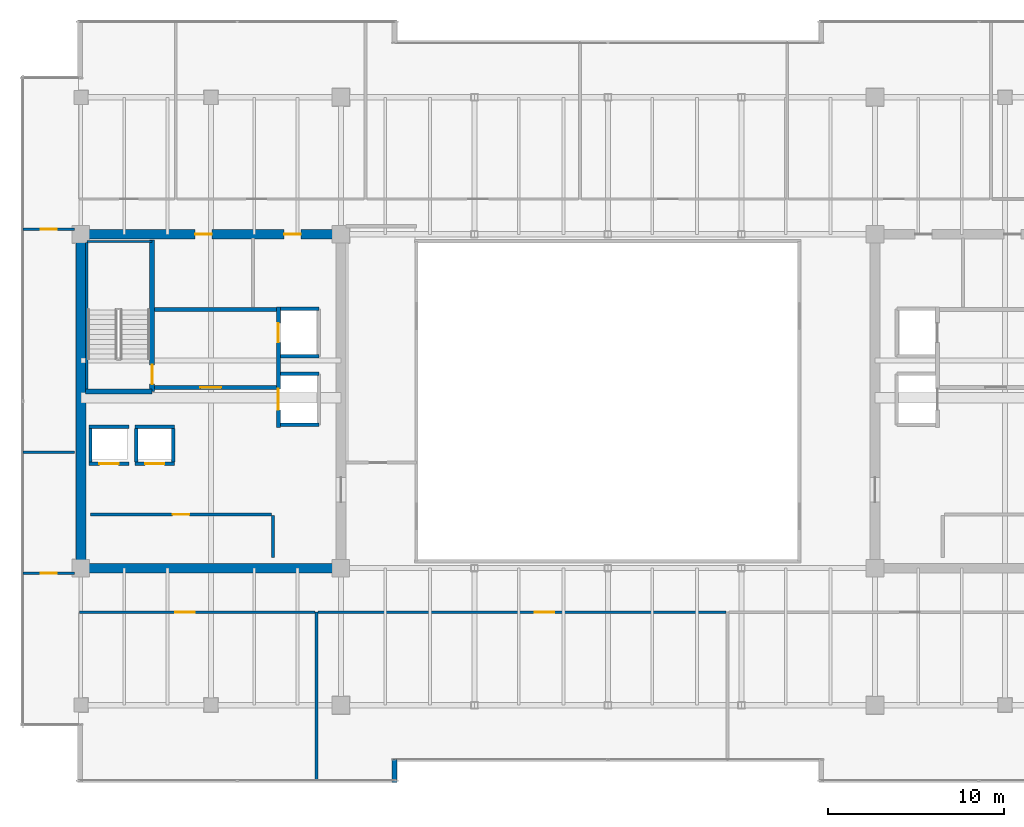
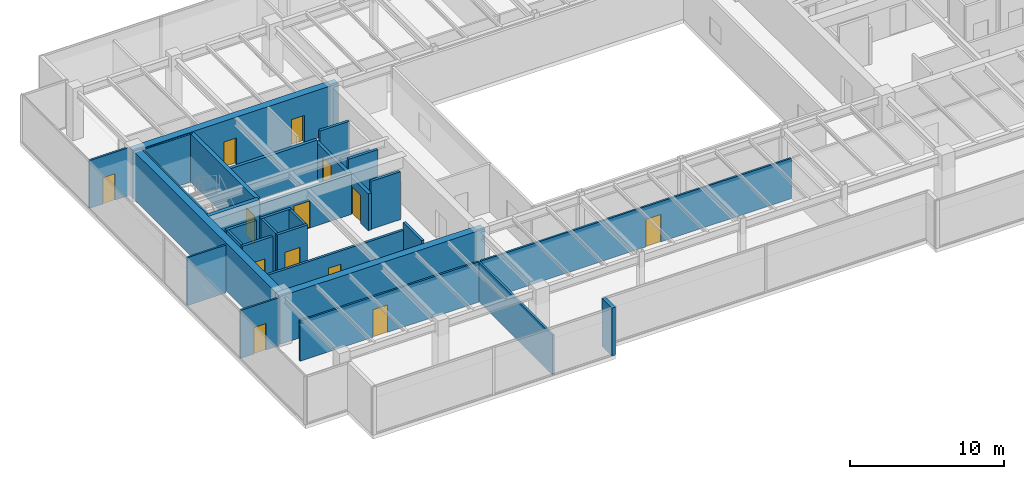
# One storey, part 28 of 35: 30 walls, 13 doors, 13 openings.
"""IFC4 building model written with IfcOpenShell, lengths in metres."""

from ifc_helpers import new_model, si_unit, direction, frame, frame_2d, origin, place, context, subcontext, project, spatial, rectangle, extrude, source, transform, mapped, material, layer, layer_set, type_object, type_shapes, element, fill, save


model = new_model("IFC4")

# Units and contexts
model_context = context("Model", 3, precision=1e-05, world=origin(), true_north=direction((0.0, 1.0)))
body_context = subcontext(model_context, "Body", "Model", "MODEL_VIEW")
ifc_project = project(units=[si_unit("LENGTHUNIT", "METRE"), si_unit("AREAUNIT", "SQUARE_METRE"), si_unit("VOLUMEUNIT", "CUBIC_METRE"), si_unit("PLANEANGLEUNIT", "RADIAN"), si_unit("MASSUNIT", "GRAM", prefix="KILO")], contexts=[model_context])

# Site, building, storey
site_placement = place(None, origin())
site = spatial("IfcSite", under=ifc_project, at=site_placement, CompositionType="ELEMENT")
building_placement = place(site_placement, origin())
building = spatial("IfcBuilding", under=site, at=building_placement, Name="Haelvirn Gate Laboratories", CompositionType="ELEMENT")
storey_placement = place(building_placement, frame((0.0, 0.0, 234.199951171875)))
storey = spatial("IfcBuildingStorey", under=building, at=storey_placement, Name="L56", CompositionType="ELEMENT", Elevation=234.199951171875)

# Walls
ifc_material_1 = material(Name="Thermally-broken bronze aluminium rainscreen & mineral wool", Category="aluminium")
ifc_layer_1 = layer(ifc_material_1, 0.280029296875, Name="EW-TERR-280")
ifc_layer_set_1 = layer_set([ifc_layer_1], Name="Thermally-broken bronze aluminium rainscreen & mineral wool")
wall_type_1 = type_object("IfcWallType", Name="EW-TERR-280", PredefinedType="STANDARD", material=ifc_layer_set_1)
wall_1_placement = place(storey_placement, frame((25.260009765625, 2.60009765625, 0.0), z_axis=(0.0, 0.0, 1.0), x_axis=(0.0, 1.0, 0.0)))
element("IfcWall", 1, at=wall_1_placement, inside=storey, type_object=wall_type_1, Name="L56 Atrium Recess Bronze Return Wall 01", PredefinedType="STANDARD", context=body_context, shape_type="SweptSolid", body=[
    extrude(rectangle(XDim=1.29296875, YDim=0.280029296875, at=frame_2d((0.646484375, 0.0))), origin(), (0.0, 0.0, 1.0), 3.800048828125),
])
ifc_material_2 = material(Name="Double-layer acoustic gypsum laboratory partition", Category="gypsum")
ifc_layer_2 = layer(ifc_material_2, 0.159912109375, Name="IW-ACOUST-160")
ifc_layer_set_2 = layer_set([ifc_layer_2], Name="Double-layer acoustic gypsum laboratory partition")
wall_type_2 = type_object("IfcWallType", Name="IW-ACOUST-160", PredefinedType="PARTITIONING", material=ifc_layer_set_2)
wall_2_placement = place(storey_placement, frame((20.800048828125, 2.7099609375, 0.0), z_axis=(0.0, 0.0, 1.0), x_axis=(0.0, 1.0, 0.0)))
element("IfcWall", 2, at=wall_2_placement, inside=storey, type_object=wall_type_2, Name="L56 Interior Wall IW-L56-SDIV-01", PredefinedType="PARTITIONING", context=body_context, shape_type="SweptSolid", body=[
    extrude(rectangle(XDim=9.580078125, YDim=0.159912109375, at=frame_2d((4.7900390625, 0.0))), origin(), (0.0, 0.0, 1.0), 3.135009765625),
])

# Wall, opening, door
ifc_material_3 = material(Name="Acoustic mineral-wool gypsum board partition", Category="gypsum")
ifc_layer_3 = layer(ifc_material_3, 0.139892578125, Name="IW-PART-140")
ifc_layer_set_3 = layer_set([ifc_layer_3], Name="Acoustic mineral-wool gypsum board partition")
wall_type_3 = type_object("IfcWallType", Name="IW-PART-140", PredefinedType="PARTITIONING", material=ifc_layer_set_3)
wall_3_placement = place(storey_placement, frame((7.31005859375, 12.2900390625, 0.0), z_axis=(0.0, 0.0, 1.0), x_axis=(1.0, 0.0, 0.0)))
wall_3 = element("IfcWall", 3, at=wall_3_placement, inside=storey, type_object=wall_type_3, Name="L56 Interior Wall IW-L56-SCORR-01", PredefinedType="PARTITIONING", context=body_context, shape_type="SweptSolid", body=[
    extrude(rectangle(XDim=13.409912109375, YDim=0.139892578125, at=frame_2d((6.705078125, 0.0))), origin(), (0.0, 0.0, 1.0), 3.197021484375),
])
opening_1_placement = place(wall_3_placement, frame((5.45849609375, 0.0, 0.0)))
opening_1 = element("IfcOpeningElement", 4, at=opening_1_placement, cuts=wall_3, Name="Opening D1", PredefinedType="OPENING", context=body_context, shape_type="SweptSolid", body=[
    extrude(rectangle(XDim=1.10009765625, YDim=2.179931640625, at=frame_2d((0.550048828125, 1.08984375))), frame((0.0, 0.080078125, 0.0), z_axis=(0.0, -1.0, 0.0), x_axis=(1.0, 0.0, 0.0)), (0.0, 0.0, 1.0), 0.159912109375),
])
ifc_material_4 = material(Name="Vision-panel acoustic solid-core timber lab door", Category="wood")
door_type_1 = type_object("IfcDoorType", Name="DR-LAB-1100", OperationType="NOTDEFINED", PredefinedType="DOOR", material=ifc_material_4)
shared_shape_1 = source(origin(), body_context, "Body", "SweptSolid", [
    extrude(rectangle(XDim=1.10009765625, YDim=2.179931640625, at=frame_2d((0.550048828125, 1.08984375))), frame((0.0, 0.02490234375, 0.0), z_axis=(0.0, -1.0, 0.0), x_axis=(1.0, 0.0, 0.0)), (0.0, 0.0, 1.0), 0.050048828125),
])
type_shapes(door_type_1, [shared_shape_1])
door_1_placement = place(opening_1_placement, origin())
door_1 = element("IfcDoor", 5, at=door_1_placement, inside=storey, type_object=door_type_1, Name="L56 Peer-Review Seminar Room Door S1", OperationType="SINGLE_SWING_LEFT", OverallHeight=2.179931640625, OverallWidth=1.10009765625, PredefinedType="DOOR", context=body_context, shape_type="MappedRepresentation", body=[
    mapped(shared_shape_1, transform((0.0, 0.0, 0.0), scale=1.0)),
])
fill(opening_1, door_1)

wall_4_placement = place(storey_placement, frame((20.8798828125, 12.2900390625, 0.0), z_axis=(0.0, 0.0, 1.0), x_axis=(1.0, 0.0, 0.0)))
wall_4 = element("IfcWall", 6, at=wall_4_placement, inside=storey, type_object=wall_type_3, Name="L56 Interior Wall IW-L56-SCORR-02", PredefinedType="PARTITIONING", context=body_context, shape_type="SweptSolid", body=[
    extrude(rectangle(XDim=23.240234375, YDim=0.139892578125, at=frame_2d((11.6201171875, 0.0))), origin(), (0.0, 0.0, 1.0), 3.197021484375),
])
opening_2_placement = place(wall_4_placement, frame((12.3564453125, 0.0, 0.0)))
opening_2 = element("IfcOpeningElement", 7, at=opening_2_placement, cuts=wall_4, Name="Opening D1", PredefinedType="OPENING", context=body_context, shape_type="SweptSolid", body=[
    extrude(rectangle(XDim=1.10009765625, YDim=2.179931640625, at=frame_2d((0.550048828125, 1.08984375))), frame((0.0, 0.080078125, 0.0), z_axis=(0.0, -1.0, 0.0), x_axis=(1.0, 0.0, 0.0)), (0.0, 0.0, 1.0), 0.159912109375),
])
door_2_placement = place(opening_2_placement, origin())
door_2 = element("IfcDoor", 8, at=door_2_placement, inside=storey, type_object=door_type_1, Name="L56 Colloquium Conference Room Door S2", OperationType="SINGLE_SWING_RIGHT", OverallHeight=2.179931640625, OverallWidth=1.10009765625, PredefinedType="DOOR", context=body_context, shape_type="MappedRepresentation", body=[
    mapped(shared_shape_1, transform((0.0, 0.0, 0.0), scale=1.0)),
])
fill(opening_2, door_2)

# Wall
wall_5_placement = place(storey_placement, frame((4.110107421875, 21.39990234375, 0.0), z_axis=(0.0, 0.0, 1.0), x_axis=(1.0, 0.0, 0.0)))
element("IfcWall", 9, at=wall_5_placement, inside=storey, type_object=wall_type_3, Name="L56 Interior Wall IW-L56-WZ3-MID", PredefinedType="PARTITIONING", context=body_context, shape_type="SweptSolid", body=[
    extrude(rectangle(XDim=2.909912109375, YDim=0.139892578125, at=frame_2d((1.455078125, 0.0))), origin(), (0.0, 0.0, 1.0), 3.800048828125),
])

# Wall, opening, door
wall_6_placement = place(storey_placement, frame((4.110107421875, 14.5048828125, 0.0), z_axis=(0.0, 0.0, 1.0), x_axis=(1.0, 0.0, 0.0)))
wall_6 = element("IfcWall", 10, at=wall_6_placement, inside=storey, type_object=wall_type_3, Name="L56 Interior Wall IW-L56-WZ3-ENT-S", PredefinedType="PARTITIONING", context=body_context, shape_type="SweptSolid", body=[
    extrude(rectangle(XDim=2.909912109375, YDim=0.139892578125, at=frame_2d((1.455078125, 0.0))), origin(), (0.0, 0.0, 1.0), 3.800048828125),
])
opening_3_placement = place(wall_6_placement, frame((1.0048828125, 0.0, 0.0)))
opening_3 = element("IfcOpeningElement", 11, at=opening_3_placement, cuts=wall_6, Name="Opening D4", PredefinedType="OPENING", context=body_context, shape_type="SweptSolid", body=[
    extrude(rectangle(XDim=0.89990234375, YDim=2.10009765625, at=frame_2d((0.449951171875, 1.050048828125))), frame((0.0, 0.080078125, 0.0), z_axis=(0.0, -1.0, 0.0), x_axis=(1.0, 0.0, 0.0)), (0.0, 0.0, 1.0), 0.159912109375),
])
ifc_material_5 = material(Name="Glazed aluminium-framed write-up door", Category="aluminium")
door_type_2 = type_object("IfcDoorType", Name="DR-OFF-900", OperationType="NOTDEFINED", PredefinedType="DOOR", material=ifc_material_5)
shared_shape_2 = source(origin(), body_context, "Body", "SweptSolid", [
    extrude(rectangle(XDim=0.89990234375, YDim=2.10009765625, at=frame_2d((0.449951171875, 1.050048828125))), frame((0.0, 0.02490234375, 0.0), z_axis=(0.0, -1.0, 0.0), x_axis=(1.0, 0.0, 0.0)), (0.0, 0.0, 1.0), 0.050048828125),
])
type_shapes(door_type_2, [shared_shape_2])
door_3_placement = place(opening_3_placement, origin())
door_3 = element("IfcDoor", 12, at=door_3_placement, inside=storey, type_object=door_type_2, Name="L56 Translational Data Office Door W-S", OperationType="SINGLE_SWING_LEFT", OverallHeight=2.10009765625, OverallWidth=0.89990234375, PredefinedType="DOOR", context=body_context, shape_type="MappedRepresentation", body=[
    mapped(shared_shape_2, transform((0.0, 0.0, 0.0), scale=1.0)),
])
fill(opening_3, door_3)

wall_7_placement = place(storey_placement, frame((4.110107421875, 34.094970703125, 0.0), z_axis=(0.0, 0.0, 1.0), x_axis=(1.0, 0.0, 0.0)))
wall_7 = element("IfcWall", 13, at=wall_7_placement, inside=storey, type_object=wall_type_3, Name="L56 Interior Wall IW-L56-WZ3-ENT-N", PredefinedType="PARTITIONING", context=body_context, shape_type="SweptSolid", body=[
    extrude(rectangle(XDim=2.909912109375, YDim=0.139892578125, at=frame_2d((1.455078125, 0.0))), origin(), (0.0, 0.0, 1.0), 3.800048828125),
])
opening_4_placement = place(wall_7_placement, frame((1.0048828125, 0.0, 0.0)))
opening_4 = element("IfcOpeningElement", 14, at=opening_4_placement, cuts=wall_7, Name="Opening D4", PredefinedType="OPENING", context=body_context, shape_type="SweptSolid", body=[
    extrude(rectangle(XDim=0.89990234375, YDim=2.10009765625, at=frame_2d((0.449951171875, 1.050048828125))), frame((0.0, 0.080078125, 0.0), z_axis=(0.0, -1.0, 0.0), x_axis=(1.0, 0.0, 0.0)), (0.0, 0.0, 1.0), 0.159912109375),
])
door_4_placement = place(opening_4_placement, origin())
door_4 = element("IfcDoor", 15, at=door_4_placement, inside=storey, type_object=door_type_2, Name="L56 Researcher Break Pantry Door W-N", OperationType="SINGLE_SWING_RIGHT", OverallHeight=2.10009765625, OverallWidth=0.89990234375, PredefinedType="DOOR", context=body_context, shape_type="MappedRepresentation", body=[
    mapped(shared_shape_2, transform((0.0, 0.0, 0.0), scale=1.0)),
])
fill(opening_4, door_4)

# Walls
ifc_material_6 = material(Name="Concrete C40/50", Category="concrete")
ifc_layer_4 = layer(ifc_material_6, 0.179931640625, Name="IW-SHAFT-180")
ifc_layer_set_4 = layer_set([ifc_layer_4], Name="Concrete C40/50")
wall_type_4 = type_object("IfcWallType", Name="IW-SHAFT-180", PredefinedType="SOLIDWALL", material=ifc_layer_set_4)
for number, where, z_axis, x_axis, name in (
    (16, (7.949951171875, 20.85009765625, 0.0), (0.0, 0.0, 1.0), (0.0, 1.0, 0.0), "L56 Interior Wall IW-L56-PL9-SD"),
    (17, (10.550048828125, 20.85009765625, 0.0), (0.0, 0.0, 1.0), (0.0, 1.0, 0.0), "L56 Interior Wall IW-L56-PL10-SD"),
    (18, (12.64990234375, 20.85009765625, 0.0), (0.0, 0.0, 1.0), (0.0, 1.0, 0.0), "L56 Interior Wall IW-L56-PL10-SDE"),
):
    element("IfcWall", number, at=place(storey_placement, frame(where, z_axis=z_axis, x_axis=x_axis)), inside=storey, type_object=wall_type_4, Name=name, PredefinedType="SOLIDWALL", context=body_context, shape_type="SweptSolid", body=[
        extrude(rectangle(XDim=1.89990234375, YDim=0.179931640625, at=frame_2d((0.949951171875, 0.0))), origin(), (0.0, 0.0, 1.0), 3.800048828125),
    ])

# Wall, opening, door
wall_8_placement = place(storey_placement, frame((7.949951171875, 17.85009765625, 0.0), z_axis=(0.0, 0.0, 1.0), x_axis=(1.0, 0.0, 0.0)))
wall_8 = element("IfcWall", 19, at=wall_8_placement, inside=storey, type_object=wall_type_4, Name="L56 Interior Wall IW-L56-W-FREED-HN-1", PredefinedType="SOLIDWALL", context=body_context, shape_type="SweptSolid", body=[
    extrude(rectangle(XDim=10.300048828125, YDim=0.179931640625, at=frame_2d((5.14990234375, 0.0))), origin(), (0.0, 0.0, 1.0), 3.197021484375),
])
opening_5_placement = place(wall_8_placement, frame((4.675048828125, 0.0, 0.0)))
opening_5 = element("IfcOpeningElement", 20, at=opening_5_placement, cuts=wall_8, Name="Opening FD4", PredefinedType="OPENING", context=body_context, shape_type="SweptSolid", body=[
    extrude(rectangle(XDim=0.949951171875, YDim=2.14990234375, at=frame_2d((0.47509765625, 1.074951171875))), frame((0.0, 0.10009765625, 0.0), z_axis=(0.0, -1.0, 0.0), x_axis=(1.0, 0.0, 0.0)), (0.0, 0.0, 1.0), 0.199951171875),
])
ifc_material_7 = material(Name="Fire-rated steel SM355 core service door", Category="steel")
door_type_3 = type_object("IfcDoorType", Name="DR-FD-950", OperationType="NOTDEFINED", PredefinedType="DOOR", material=ifc_material_7)
shared_shape_3 = source(origin(), body_context, "Body", "SweptSolid", [
    extrude(rectangle(XDim=0.949951171875, YDim=2.14990234375, at=frame_2d((0.47509765625, 1.074951171875))), frame((0.0, 0.02490234375, 0.0), z_axis=(0.0, -1.0, 0.0), x_axis=(1.0, 0.0, 0.0)), (0.0, 0.0, 1.0), 0.050048828125),
])
type_shapes(door_type_3, [shared_shape_3])
door_5_placement = place(opening_5_placement, origin())
door_5 = element("IfcDoor", 21, at=door_5_placement, inside=storey, type_object=door_type_3, Name="L56 High-Zone Cryogenic Biobank Vault Door", OperationType="SINGLE_SWING_LEFT", OverallHeight=2.14990234375, OverallWidth=0.949951171875, PredefinedType="DOOR", context=body_context, shape_type="MappedRepresentation", body=[
    mapped(shared_shape_3, transform((0.0, 0.0, 0.0), scale=1.0)),
])
fill(opening_5, door_5)

# Wall
wall_9_placement = place(storey_placement, frame((18.340087890625, 15.39990234375, 0.0), z_axis=(0.0, 0.0, 1.0), x_axis=(0.0, 1.0, 0.0)))
element("IfcWall", 22, at=wall_9_placement, inside=storey, type_object=wall_type_4, Name="L56 Interior Wall IW-L56-W-FREED-HE-1", PredefinedType="SOLIDWALL", context=body_context, shape_type="SweptSolid", body=[
    extrude(rectangle(XDim=2.400146484375, YDim=0.179931640625, at=frame_2d((1.2001953125, 0.0))), origin(), (0.0, 0.0, 1.0), 3.800048828125),
])

# Wall, opening, door
ifc_layer_5 = layer(ifc_material_6, 0.199951171875, Name="IW-SHAFT-200")
ifc_layer_set_5 = layer_set([ifc_layer_5], Name="Concrete C40/50")
wall_type_5 = type_object("IfcWallType", Name="IW-SHAFT-200", PredefinedType="SOLIDWALL", material=ifc_layer_set_5)
wall_10_placement = place(storey_placement, frame((7.8701171875, 20.75, 0.0), z_axis=(0.0, 0.0, 1.0), x_axis=(1.0, 0.0, 0.0)))
wall_10 = element("IfcWall", 23, at=wall_10_placement, inside=storey, type_object=wall_type_5, Name="L56 Interior Wall IW-L56-PL9-FR", PredefinedType="SOLIDWALL", context=body_context, shape_type="SweptSolid", body=[
    extrude(rectangle(XDim=2.259765625, YDim=0.199951171875, at=frame_2d((1.1298828125, 0.0))), origin(), (0.0, 0.0, 1.0), 3.800048828125),
])
opening_6_placement = place(wall_10_placement, frame((0.580078125, 0.0, 0.0)))
opening_6 = element("IfcOpeningElement", 24, at=opening_6_placement, cuts=wall_10, Name="Opening LD2", PredefinedType="OPENING", context=body_context, shape_type="SweptSolid", body=[
    extrude(rectangle(XDim=1.10009765625, YDim=2.219970703125, at=frame_2d((0.550048828125, 1.10986328125))), frame((0.0, 0.10986328125, 0.0), z_axis=(0.0, -1.0, 0.0), x_axis=(1.0, 0.0, 0.0)), (0.0, 0.0, 1.0), 0.219970703125),
])
ifc_material_8 = material(Name="Bronze stainless 316L sliding lift landing door")
door_type_4 = type_object("IfcDoorType", Name="DR-LD-1100", OperationType="NOTDEFINED", PredefinedType="USERDEFINED", material=ifc_material_8)
shared_shape_4 = source(origin(), body_context, "Body", "SweptSolid", [
    extrude(rectangle(XDim=1.10009765625, YDim=2.219970703125, at=frame_2d((0.550048828125, 1.10986328125))), frame((0.0, 0.02490234375, 0.0), z_axis=(0.0, -1.0, 0.0), x_axis=(1.0, 0.0, 0.0)), (0.0, 0.0, 1.0), 0.050048828125),
])
type_shapes(door_type_4, [shared_shape_4])
door_6_placement = place(opening_6_placement, origin())
door_6 = element("IfcDoor", 25, at=door_6_placement, inside=storey, type_object=door_type_4, Name="L56 Passenger Lift PL9 Landing Door", ObjectType="LANDING_DOOR", OperationType="SLIDING_TO_LEFT", OverallHeight=2.219970703125, OverallWidth=1.10009765625, PredefinedType="USERDEFINED", context=body_context, shape_type="MappedRepresentation", body=[
    mapped(shared_shape_4, transform((0.0, 0.0, 0.0), scale=1.0)),
])
fill(opening_6, door_6)

# Wall
wall_11_placement = place(storey_placement, frame((7.8701171875, 22.85009765625, 0.0), z_axis=(0.0, 0.0, 1.0), x_axis=(1.0, 0.0, 0.0)))
element("IfcWall", 26, at=wall_11_placement, inside=storey, type_object=wall_type_5, Name="L56 Interior Wall IW-L56-PL9-BK", PredefinedType="SOLIDWALL", context=body_context, shape_type="SweptSolid", body=[
    extrude(rectangle(XDim=2.259765625, YDim=0.199951171875, at=frame_2d((1.1298828125, 0.0))), origin(), (0.0, 0.0, 1.0), 3.800048828125),
])

# Wall, opening, door
wall_12_placement = place(storey_placement, frame((10.469970703125, 20.75, 0.0), z_axis=(0.0, 0.0, 1.0), x_axis=(1.0, 0.0, 0.0)))
wall_12 = element("IfcWall", 27, at=wall_12_placement, inside=storey, type_object=wall_type_5, Name="L56 Interior Wall IW-L56-PL10-FR", PredefinedType="SOLIDWALL", context=body_context, shape_type="SweptSolid", body=[
    extrude(rectangle(XDim=2.260009765625, YDim=0.199951171875, at=frame_2d((1.1298828125, 0.0))), origin(), (0.0, 0.0, 1.0), 3.800048828125),
])
opening_7_placement = place(wall_12_placement, frame((0.580078125, 0.0, 0.0)))
opening_7 = element("IfcOpeningElement", 28, at=opening_7_placement, cuts=wall_12, Name="Opening LD2", PredefinedType="OPENING", context=body_context, shape_type="SweptSolid", body=[
    extrude(rectangle(XDim=1.10009765625, YDim=2.219970703125, at=frame_2d((0.550048828125, 1.10986328125))), frame((0.0, 0.10986328125, 0.0), z_axis=(0.0, -1.0, 0.0), x_axis=(1.0, 0.0, 0.0)), (0.0, 0.0, 1.0), 0.219970703125),
])
door_7_placement = place(opening_7_placement, origin())
door_7 = element("IfcDoor", 29, at=door_7_placement, inside=storey, type_object=door_type_4, Name="L56 Passenger Lift PL10 Landing Door", ObjectType="LANDING_DOOR", OperationType="SLIDING_TO_RIGHT", OverallHeight=2.219970703125, OverallWidth=1.10009765625, PredefinedType="USERDEFINED", context=body_context, shape_type="MappedRepresentation", body=[
    mapped(shared_shape_4, transform((0.0, 0.0, 0.0), scale=1.0)),
])
fill(opening_7, door_7)

# Walls
wall_13_placement = place(storey_placement, frame((10.469970703125, 22.85009765625, 0.0), z_axis=(0.0, 0.0, 1.0), x_axis=(1.0, 0.0, 0.0)))
element("IfcWall", 30, at=wall_13_placement, inside=storey, type_object=wall_type_5, Name="L56 Interior Wall IW-L56-PL10-BK", PredefinedType="SOLIDWALL", context=body_context, shape_type="SweptSolid", body=[
    extrude(rectangle(XDim=2.260009765625, YDim=0.199951171875, at=frame_2d((1.1298828125, 0.0))), origin(), (0.0, 0.0, 1.0), 3.800048828125),
])
wall_14_placement = place(storey_placement, frame((18.760009765625, 29.550048828125, 0.0), z_axis=(0.0, 0.0, 1.0), x_axis=(1.0, 0.0, 0.0)))
element("IfcWall", 31, at=wall_14_placement, inside=storey, type_object=wall_type_5, Name="L56 Interior Wall IW-L56-FL1-N", PredefinedType="SOLIDWALL", context=body_context, shape_type="SweptSolid", body=[
    extrude(rectangle(XDim=2.18994140625, YDim=0.199951171875, at=frame_2d((1.094970703125, 0.0))), origin(), (0.0, 0.0, 1.0), 3.800048828125),
])
wall_15_placement = place(storey_placement, frame((18.760009765625, 26.85009765625, 0.0), z_axis=(0.0, 0.0, 1.0), x_axis=(1.0, 0.0, 0.0)))
element("IfcWall", 32, at=wall_15_placement, inside=storey, type_object=wall_type_5, Name="L56 Interior Wall IW-L56-FL1-S", PredefinedType="SOLIDWALL", context=body_context, shape_type="SweptSolid", body=[
    extrude(rectangle(XDim=2.18994140625, YDim=0.199951171875, at=frame_2d((1.094970703125, 0.0))), origin(), (0.0, 0.0, 1.0), 3.197021484375),
])
for number, where, z_axis, x_axis, name in (
    (33, (18.760009765625, 25.85009765625, 0.0), (0.0, 0.0, 1.0), (1.0, 0.0, 0.0), "L56 Interior Wall IW-L56-SL1-N"),
    (34, (18.760009765625, 22.949951171875, 0.0), (0.0, 0.0, 1.0), (1.0, 0.0, 0.0), "L56 Interior Wall IW-L56-SL1-S"),
):
    element("IfcWall", number, at=place(storey_placement, frame(where, z_axis=z_axis, x_axis=x_axis)), inside=storey, type_object=wall_type_5, Name=name, PredefinedType="SOLIDWALL", context=body_context, shape_type="SweptSolid", body=[
        extrude(rectangle(XDim=2.18994140625, YDim=0.199951171875, at=frame_2d((1.094970703125, 0.0))), origin(), (0.0, 0.0, 1.0), 3.800048828125),
    ])

# Wall, opening, door
ifc_layer_6 = layer(ifc_material_6, 0.239990234375, Name="IW-SHAFT-240")
ifc_layer_set_6 = layer_set([ifc_layer_6], Name="Concrete C40/50")
wall_type_6 = type_object("IfcWallType", Name="IW-SHAFT-240", PredefinedType="SOLIDWALL", material=ifc_layer_set_6)
wall_16_placement = place(storey_placement, frame((11.60009765625, 25.080078125, 0.0), z_axis=(0.0, 0.0, 1.0), x_axis=(1.0, 0.0, 0.0)))
wall_16 = element("IfcWall", 35, at=wall_16_placement, inside=storey, type_object=wall_type_6, Name="L56 Interior Wall IW-L56-W-FF-S", PredefinedType="SOLIDWALL", context=body_context, shape_type="SweptSolid", body=[
    extrude(rectangle(XDim=6.919921875, YDim=0.239990234375, at=frame_2d((3.4599609375, 0.0))), origin(), (0.0, 0.0, 1.0), 3.197021484375),
])
opening_8_placement = place(wall_16_placement, frame((2.60009765625, 0.0, 0.0)))
opening_8 = element("IfcOpeningElement", 36, at=opening_8_placement, cuts=wall_16, Name="Opening FD2", PredefinedType="OPENING", context=body_context, shape_type="SweptSolid", body=[
    extrude(rectangle(XDim=1.199951171875, YDim=2.159912109375, at=frame_2d((0.60009765625, 1.080078125))), frame((0.0, 0.1298828125, 0.0), z_axis=(0.0, -1.0, 0.0), x_axis=(1.0, 0.0, 0.0)), (0.0, 0.0, 1.0), 0.260009765625),
])
ifc_material_9 = material(Name="Fire-rated steel SM355 compartment door", Category="steel")
door_type_5 = type_object("IfcDoorType", Name="DR-FD-1200", OperationType="NOTDEFINED", PredefinedType="DOOR", material=ifc_material_9)
shared_shape_5 = source(origin(), body_context, "Body", "SweptSolid", [
    extrude(rectangle(XDim=1.199951171875, YDim=2.159912109375, at=frame_2d((0.60009765625, 1.080078125))), frame((0.0, 0.02490234375, 0.0), z_axis=(0.0, -1.0, 0.0), x_axis=(1.0, 0.0, 0.0)), (0.0, 0.0, 1.0), 0.050048828125),
])
type_shapes(door_type_5, [shared_shape_5])
door_8_placement = place(opening_8_placement, origin())
door_8 = element("IfcDoor", 37, at=door_8_placement, inside=storey, type_object=door_type_5, Name="L56 West Firefighting Lobby Door", OperationType="SINGLE_SWING_RIGHT", OverallHeight=2.159912109375, OverallWidth=1.199951171875, PredefinedType="DOOR", context=body_context, shape_type="MappedRepresentation", body=[
    mapped(shared_shape_5, transform((0.0, 0.0, 0.0), scale=1.0)),
])
fill(opening_8, door_8)

# Wall
wall_17_placement = place(storey_placement, frame((11.60009765625, 29.52001953125, 0.0), z_axis=(0.0, 0.0, 1.0), x_axis=(1.0, 0.0, 0.0)))
element("IfcWall", 38, at=wall_17_placement, inside=storey, type_object=wall_type_6, Name="L56 Interior Wall IW-L56-W-FF-N", PredefinedType="SOLIDWALL", context=body_context, shape_type="SweptSolid", body=[
    extrude(rectangle(XDim=6.919921875, YDim=0.239990234375, at=frame_2d((3.4599609375, 0.0))), origin(), (0.0, 0.0, 1.0), 3.197021484375),
])

# Wall, openings, doors
wall_18_placement = place(storey_placement, frame((18.639892578125, 22.800048828125, 0.0), z_axis=(0.0, 0.0, 1.0), x_axis=(0.0, 1.0, 0.0)))
wall_18 = element("IfcWall", 39, at=wall_18_placement, inside=storey, type_object=wall_type_6, Name="L56 Interior Wall IW-L56-W-FF-E", PredefinedType="SOLIDWALL", context=body_context, shape_type="SweptSolid", body=[
    extrude(rectangle(XDim=6.849853515625, YDim=0.239990234375, at=frame_2d((3.4248046875, 0.0))), origin(), (0.0, 0.0, 1.0), 2.93505859375),
])
opening_9_placement = place(wall_18_placement, frame((4.85009765625, 0.0, 0.0)))
opening_9 = element("IfcOpeningElement", 40, at=opening_9_placement, cuts=wall_18, Name="Opening LD2", PredefinedType="OPENING", context=body_context, shape_type="SweptSolid", body=[
    extrude(rectangle(XDim=1.10009765625, YDim=2.219970703125, at=frame_2d((0.550048828125, 1.10986328125))), frame((0.0, 0.1298828125, 0.0), z_axis=(0.0, -1.0, 0.0), x_axis=(1.0, 0.0, 0.0)), (0.0, 0.0, 1.0), 0.260009765625),
])
opening_10_placement = place(wall_18_placement, frame((1.0, 0.0, 0.0)))
opening_10 = element("IfcOpeningElement", 41, at=opening_10_placement, cuts=wall_18, Name="Opening LD1", PredefinedType="OPENING", context=body_context, shape_type="SweptSolid", body=[
    extrude(rectangle(XDim=1.199951171875, YDim=2.219970703125, at=frame_2d((0.60009765625, 1.10986328125))), frame((0.0, 0.1298828125, 0.0), z_axis=(0.0, -1.0, 0.0), x_axis=(1.0, 0.0, 0.0)), (0.0, 0.0, 1.0), 0.260009765625),
])
door_9_placement = place(opening_9_placement, origin())
door_9 = element("IfcDoor", 42, at=door_9_placement, inside=storey, type_object=door_type_4, Name="L56 Firefighting Lift FL1 Landing Door", ObjectType="LANDING_DOOR", OperationType="SLIDING_TO_LEFT", OverallHeight=2.219970703125, OverallWidth=1.10009765625, PredefinedType="USERDEFINED", context=body_context, shape_type="MappedRepresentation", body=[
    mapped(shared_shape_4, transform((0.0, 0.0, 0.0), scale=1.0)),
])
fill(opening_9, door_9)
ifc_material_10 = material(Name="Stainless steel 316L sliding goods landing door", Category="steel")
door_type_6 = type_object("IfcDoorType", Name="DR-LD-1200", OperationType="NOTDEFINED", PredefinedType="USERDEFINED", material=ifc_material_10)
shared_shape_6 = source(origin(), body_context, "Body", "SweptSolid", [
    extrude(rectangle(XDim=1.199951171875, YDim=2.219970703125, at=frame_2d((0.60009765625, 1.10986328125))), frame((0.0, 0.02490234375, 0.0), z_axis=(0.0, -1.0, 0.0), x_axis=(1.0, 0.0, 0.0)), (0.0, 0.0, 1.0), 0.050048828125),
])
type_shapes(door_type_6, [shared_shape_6])
door_10_placement = place(opening_10_placement, origin())
door_10 = element("IfcDoor", 43, at=door_10_placement, inside=storey, type_object=door_type_6, Name="L56 Service Lift SL1 Landing Door", ObjectType="LANDING_DOOR", OperationType="SLIDING_TO_RIGHT", OverallHeight=2.219970703125, OverallWidth=1.199951171875, PredefinedType="USERDEFINED", context=body_context, shape_type="MappedRepresentation", body=[
    mapped(shared_shape_6, transform((0.0, 0.0, 0.0), scale=1.0)),
])
fill(opening_10, door_10)

# Wall
ifc_material_11 = material(Name="Concrete C50/60", Category="concrete")
ifc_layer_7 = layer(ifc_material_11, 0.550048828125, Name="SW-CORE-550")
ifc_layer_set_7 = layer_set([ifc_layer_7], Name="Concrete C50/60")
wall_type_7 = type_object("IfcWallType", Name="SW-CORE-550", PredefinedType="SHEAR", material=ifc_layer_set_7)
wall_19_placement = place(storey_placement, frame((7.125, 14.800048828125, 0.0), z_axis=(0.0, 0.0, 1.0), x_axis=(1.0, 0.0, 0.0)))
element("IfcWall", 44, at=wall_19_placement, inside=storey, type_object=wall_type_7, Name="L56 W Core Shear Wall S", PredefinedType="SHEAR", context=body_context, shape_type="SweptSolid", body=[
    extrude(rectangle(XDim=15.35009765625, YDim=0.550048828125, at=frame_2d((7.675048828125, 0.0))), origin(), (0.0, 0.0, 1.0), 3.800048828125),
])

# Wall, openings, doors
wall_20_placement = place(storey_placement, frame((7.125, 33.800048828125, 0.0), z_axis=(0.0, 0.0, 1.0), x_axis=(1.0, 0.0, 0.0)))
wall_20 = element("IfcWall", 45, at=wall_20_placement, inside=storey, type_object=wall_type_7, Name="L56 W Core Shear Wall N", PredefinedType="SHEAR", context=body_context, shape_type="SweptSolid", body=[
    extrude(rectangle(XDim=15.35009765625, YDim=0.550048828125, at=frame_2d((7.675048828125, 0.0))), origin(), (0.0, 0.0, 1.0), 3.800048828125),
])
opening_11_placement = place(wall_20_placement, frame((6.77490234375, 0.0, 0.0)))
opening_11 = element("IfcOpeningElement", 46, at=opening_11_placement, cuts=wall_20, Name="Opening FD4", PredefinedType="OPENING", context=body_context, shape_type="SweptSolid", body=[
    extrude(rectangle(XDim=0.949951171875, YDim=2.14990234375, at=frame_2d((0.47509765625, 1.074951171875))), frame((0.0, 0.28515625, 0.0), z_axis=(0.0, -1.0, 0.0), x_axis=(1.0, 0.0, 0.0)), (0.0, 0.0, 1.0), 0.570068359375),
])
opening_12_placement = place(wall_20_placement, frame((11.840087890625, 0.0, 0.0)))
opening_12 = element("IfcOpeningElement", 47, at=opening_12_placement, cuts=wall_20, Name="Opening FD4", PredefinedType="OPENING", context=body_context, shape_type="SweptSolid", body=[
    extrude(rectangle(XDim=0.949951171875, YDim=2.14990234375, at=frame_2d((0.47509765625, 1.074951171875))), frame((0.0, 0.28515625, 0.0), z_axis=(0.0, -1.0, 0.0), x_axis=(1.0, 0.0, 0.0)), (0.0, 0.0, 1.0), 0.570068359375),
])
door_11_placement = place(opening_11_placement, origin())
door_11 = element("IfcDoor", 48, at=door_11_placement, inside=storey, type_object=door_type_3, Name="L56 All-Gender Multi-Stall Restroom Fire Door", OperationType="SINGLE_SWING_LEFT", OverallHeight=2.14990234375, OverallWidth=0.949951171875, PredefinedType="DOOR", context=body_context, shape_type="MappedRepresentation", body=[
    mapped(shared_shape_3, transform((0.0, 0.0, 0.0), scale=1.0)),
])
fill(opening_11, door_11)
door_12_placement = place(opening_12_placement, origin())
door_12 = element("IfcDoor", 49, at=door_12_placement, inside=storey, type_object=door_type_3, Name="L56 Accessible Restroom Fire Door", OperationType="SINGLE_SWING_RIGHT", OverallHeight=2.14990234375, OverallWidth=0.949951171875, PredefinedType="DOOR", context=body_context, shape_type="MappedRepresentation", body=[
    mapped(shared_shape_3, transform((0.0, 0.0, 0.0), scale=1.0)),
])
fill(opening_12, door_12)

# Walls
wall_21_placement = place(storey_placement, frame((7.39990234375, 15.074951171875, 0.0), z_axis=(0.0, 0.0, 1.0), x_axis=(0.0, 1.0, 0.0)))
element("IfcWall", 50, at=wall_21_placement, inside=storey, type_object=wall_type_7, Name="L56 W Core Shear Wall W", PredefinedType="SHEAR", context=body_context, shape_type="SweptSolid", body=[
    extrude(rectangle(XDim=18.449951171875, YDim=0.550048828125, at=frame_2d((9.22509765625, 0.0))), origin(), (0.0, 0.0, 1.0), 3.800048828125),
])
ifc_layer_8 = layer(ifc_material_11, 0.1201171875, Name="SW-LINER-120")
ifc_layer_set_8 = layer_set([ifc_layer_8], Name="Concrete C50/60")
wall_type_8 = type_object("IfcWallType", Name="SW-LINER-120", PredefinedType="SOLIDWALL", material=ifc_layer_set_8)
wall_22_placement = place(storey_placement, frame((7.72998046875, 33.39990234375, 0.0), z_axis=(0.0, 0.0, 1.0), x_axis=(1.0, 0.0, 0.0)))
element("IfcWall", 51, at=wall_22_placement, inside=storey, type_object=wall_type_8, Name="L56 W Core Stair Shaft Liner Wall N", PredefinedType="SOLIDWALL", context=body_context, shape_type="SweptSolid", body=[
    extrude(rectangle(XDim=3.719970703125, YDim=0.1201171875, at=frame_2d((1.85986328125, 0.0))), origin(), (0.0, 0.0, 1.0), 3.800048828125),
])
wall_23_placement = place(storey_placement, frame((7.72998046875, 25.0, 0.0), z_axis=(0.0, 0.0, 1.0), x_axis=(0.0, 1.0, 0.0)))
element("IfcWall", 52, at=wall_23_placement, inside=storey, type_object=wall_type_8, Name="L56 W Core Stair Shaft Liner Wall OUT", PredefinedType="SOLIDWALL", context=body_context, shape_type="SweptSolid", body=[
    extrude(rectangle(XDim=8.320068359375, YDim=0.1201171875, at=frame_2d((4.16015625, 0.0))), origin(), (0.0, 0.0, 1.0), 3.800048828125),
])

# Wall, opening, door
ifc_layer_9 = layer(ifc_material_11, 0.300048828125, Name="SW-STAIR-300")
ifc_layer_set_9 = layer_set([ifc_layer_9], Name="Concrete C50/60")
wall_type_9 = type_object("IfcWallType", Name="SW-STAIR-300", PredefinedType="SHEAR", material=ifc_layer_set_9)
wall_24_placement = place(storey_placement, frame((11.449951171875, 24.85009765625, 0.0), z_axis=(0.0, 0.0, 1.0), x_axis=(0.0, 1.0, 0.0)))
wall_24 = element("IfcWall", 53, at=wall_24_placement, inside=storey, type_object=wall_type_9, Name="L56 W Core Stair Shaft Structural Wall IN", PredefinedType="SHEAR", context=body_context, shape_type="SweptSolid", body=[
    extrude(rectangle(XDim=8.6298828125, YDim=0.300048828125, at=frame_2d((4.31494140625, 0.0))), origin(), (0.0, 0.0, 1.0), 3.800048828125),
])
opening_13_placement = place(wall_24_placement, frame((0.419921875, 0.0, 0.0)))
opening_13 = element("IfcOpeningElement", 54, at=opening_13_placement, cuts=wall_24, Name="Opening FD3", PredefinedType="OPENING", context=body_context, shape_type="SweptSolid", body=[
    extrude(rectangle(XDim=1.10009765625, YDim=2.14990234375, at=frame_2d((0.550048828125, 1.074951171875))), frame((0.0, 0.16015625, 0.0), z_axis=(0.0, -1.0, 0.0), x_axis=(1.0, 0.0, 0.0)), (0.0, 0.0, 1.0), 0.320068359375),
])
ifc_material_12 = material(Name="Fire-rated steel SM355 escape stair door", Category="steel")
door_type_7 = type_object("IfcDoorType", Name="DR-FD-1100", OperationType="NOTDEFINED", PredefinedType="DOOR", material=ifc_material_12)
shared_shape_7 = source(origin(), body_context, "Body", "SweptSolid", [
    extrude(rectangle(XDim=1.10009765625, YDim=2.14990234375, at=frame_2d((0.550048828125, 1.074951171875))), frame((0.0, 0.02490234375, 0.0), z_axis=(0.0, -1.0, 0.0), x_axis=(1.0, 0.0, 0.0)), (0.0, 0.0, 1.0), 0.050048828125),
])
type_shapes(door_type_7, [shared_shape_7])
door_13_placement = place(opening_13_placement, origin())
door_13 = element("IfcDoor", 55, at=door_13_placement, inside=storey, type_object=door_type_7, Name="L56 Escape Stair ST1 Fire Door", OperationType="SINGLE_SWING_LEFT", OverallHeight=2.14990234375, OverallWidth=1.10009765625, PredefinedType="DOOR", context=body_context, shape_type="MappedRepresentation", body=[
    mapped(shared_shape_7, transform((0.0, 0.0, 0.0), scale=1.0)),
])
fill(opening_13, door_13)

# Wall
wall_25_placement = place(storey_placement, frame((7.64990234375, 24.85009765625, 0.0), z_axis=(0.0, 0.0, 1.0), x_axis=(1.0, 0.0, 0.0)))
element("IfcWall", 56, at=wall_25_placement, inside=storey, type_object=wall_type_9, Name="L56 W Core Stair Shaft Structural Wall S", PredefinedType="SHEAR", context=body_context, shape_type="SweptSolid", body=[
    extrude(rectangle(XDim=3.800048828125, YDim=0.300048828125, at=frame_2d((1.89990234375, 0.0))), origin(), (0.0, 0.0, 1.0), 3.800048828125),
])

save(model, "model.ifc")
